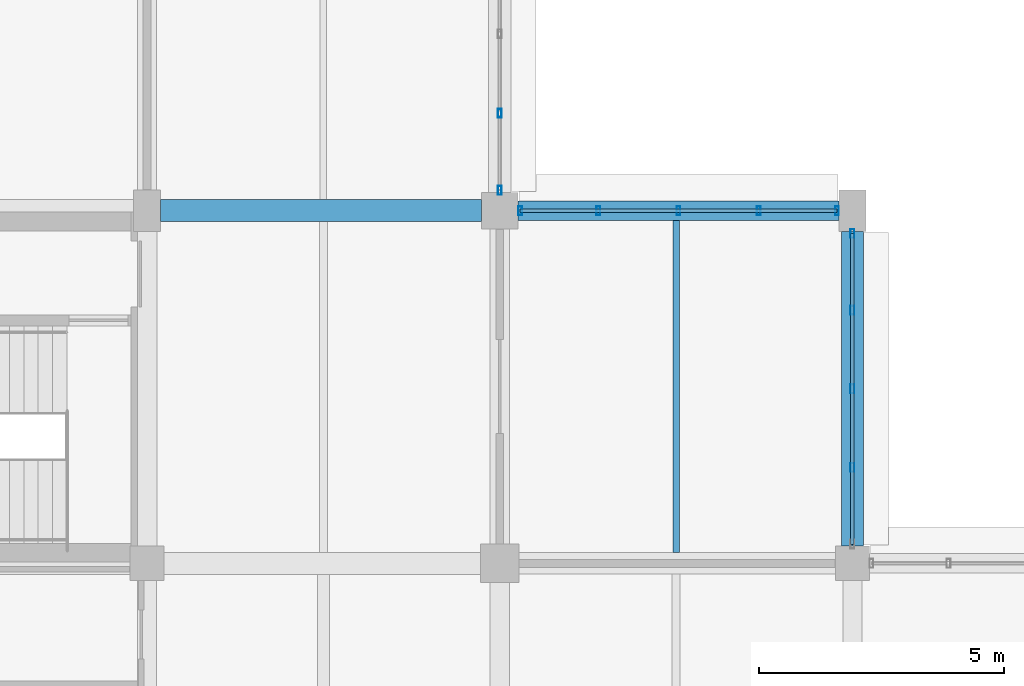
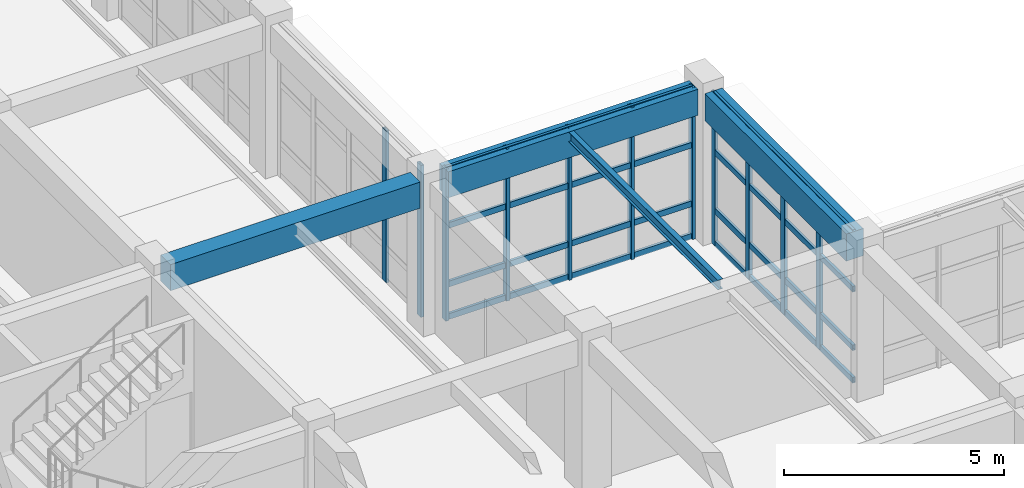
# One storey, part 13 of 171: 19 members, 4 beams, 3 elements without a shape of their own.
"""IFC4 building model written with IfcOpenShell, lengths in metres."""

from ifc_helpers import new_model, si_unit, direction, frame, origin, origin_2d, place, context, subcontext, project, spatial, rectangle, hollow_rectangle, i_section, extrude, material, material_profile, profile_set, type_object, element, aggregate, save


model = new_model("IFC4")

# Units and contexts
model_context = context("Model", 3, precision=1e-05, world=origin(), true_north=direction((0.0, 1.0)))
body_context = subcontext(model_context, "Body", "Model", "MODEL_VIEW")
ifc_project = project(units=[si_unit("LENGTHUNIT", "METRE"), si_unit("AREAUNIT", "SQUARE_METRE"), si_unit("VOLUMEUNIT", "CUBIC_METRE"), si_unit("PLANEANGLEUNIT", "RADIAN"), si_unit("MASSUNIT", "GRAM", prefix="KILO")], contexts=[model_context])

# Site, building, storey
site_placement = place(None, origin())
site = spatial("IfcSite", under=ifc_project, at=site_placement, CompositionType="ELEMENT")
building_placement = place(site_placement, origin())
building = spatial("IfcBuilding", under=site, at=building_placement, Name="Thalmaran Polytechnic", CompositionType="ELEMENT")
storey_placement = place(building_placement, frame((0.0, 0.0, 5.39990234375)))
storey = spatial("IfcBuildingStorey", under=building, at=storey_placement, Name="L01", CompositionType="ELEMENT", Elevation=5.39990234375)

# Beams
ifc_material_1 = material(Name="Concrete C40/50", Category="concrete")
ifc_material_profile_1 = material_profile(ifc_material_1, rectangle(XDim=0.449951171875, YDim=0.72509765625, at=origin_2d()), Name="RC 450x725")
ifc_profile_set_1 = profile_set([ifc_material_profile_1], Name="Concrete C40/50")
beam_type_1 = type_object("IfcBeamType", Name="BM-RC04", PredefinedType="BEAM", material=ifc_profile_set_1)
beam_1_placement = place(storey_placement, frame((14.675048828125, 28.800048828125, 3.84765625), z_axis=(1.0, 0.0, 0.0), x_axis=(0.0, 1.0, 0.0)))
element("IfcBeam", 1, at=beam_1_placement, inside=storey, type_object=beam_type_1, Name="Grid Beam B04 L01 X(2,4)", PredefinedType="BEAM", context=body_context, shape_type="SweptSolid", body=[
    extrude(rectangle(XDim=0.449951171875, YDim=0.72509765625, at=origin_2d()), origin(), (0.0, 0.0, 1.0), 6.550048828125),
])
ifc_material_2 = material(Name="Steel S355", Category="steel")
ifc_material_profile_2 = material_profile(ifc_material_2, i_section(OverallWidth=0.135009765625, OverallDepth=0.27001953125, WebThickness=0.006591796875, FlangeThickness=0.01025390625, at=origin_2d()), Name="IPE 270")
ifc_profile_set_2 = profile_set([ifc_material_profile_2], Name="Steel S355")
beam_type_2 = type_object("IfcBeamType", Name="BM-SJ03", PredefinedType="JOIST", material=ifc_profile_set_2)
beam_2_placement = place(storey_placement, frame((25.199951171875, 21.820068359375, 4.0751953125), z_axis=(0.0, 1.0, 0.0), x_axis=(-1.0, 0.0, 0.0)))
element("IfcBeam", 2, at=beam_2_placement, inside=storey, type_object=beam_type_2, Name="Secondary Floor Rib SJ03 L01 (3,3)", PredefinedType="JOIST", context=body_context, shape_type="SweptSolid", body=[
    extrude(i_section(OverallWidth=0.135009765625, OverallDepth=0.27001953125, WebThickness=0.006591796875, FlangeThickness=0.01025390625, at=origin_2d()), origin(), (0.0, 0.0, 1.0), 6.780029296875),
])
ifc_material_profile_3 = material_profile(ifc_material_1, rectangle(XDim=0.39990234375, YDim=0.719970703125, at=origin_2d()), Name="RC 400x720")
ifc_profile_set_3 = profile_set([ifc_material_profile_3], Name="Concrete C40/50")
beam_type_3 = type_object("IfcBeamType", Name="BM-SP01", PredefinedType="SPANDREL", material=ifc_profile_set_3)
beam_3_placement = place(storey_placement, frame((21.97509765625, 28.800048828125, 3.85009765625), z_axis=(1.0, 0.0, 0.0), x_axis=(0.0, 1.0, 0.0)))
element("IfcBeam", 3, at=beam_3_placement, inside=storey, type_object=beam_type_3, Name="Grid Beam SP01 L01 X(3,4)", PredefinedType="SPANDREL", context=body_context, shape_type="SweptSolid", body=[
    extrude(rectangle(XDim=0.39990234375, YDim=0.719970703125, at=origin_2d()), origin(), (0.0, 0.0, 1.0), 6.5498046875),
])
ifc_material_profile_4 = material_profile(ifc_material_1, rectangle(XDim=0.449951171875, YDim=0.7548828125, at=origin_2d()), Name="RC 450x755")
ifc_profile_set_4 = profile_set([ifc_material_profile_4], Name="Concrete C40/50")
beam_type_4 = type_object("IfcBeamType", Name="BM-SP02", PredefinedType="SPANDREL", material=ifc_profile_set_4)
beam_4_placement = place(storey_placement, frame((28.800048828125, 21.949951171875, 3.83251953125), z_axis=(0.0, 1.0, 0.0), x_axis=(-1.0, 0.0, 0.0)))
element("IfcBeam", 4, at=beam_4_placement, inside=storey, type_object=beam_type_4, Name="Grid Beam SP02 L01 Y(4,3)", PredefinedType="SPANDREL", context=body_context, shape_type="SweptSolid", body=[
    extrude(rectangle(XDim=0.449951171875, YDim=0.7548828125, at=origin_2d()), origin(), (0.0, 0.0, 1.0), 6.425048828125),
])

# Curtain wall, members
ifc_material_3 = material(Name="Aluminium 6063-T6", Category="aluminium")
curtain_wall_type = type_object("IfcCurtainWallType", Name="CW-UC02", PredefinedType="USERDEFINED", material=ifc_material_3)
curtain_wall_1_placement = place(storey_placement, origin())
curtain_wall_1 = element("IfcCurtainWall", 5, at=curtain_wall_1_placement, inside=storey, type_object=curtain_wall_type, Name="Curtain Wall CW-L01-160", ObjectType="UNITISED CURTAIN WALL", PredefinedType="USERDEFINED")
ifc_material_profile_5 = material_profile(ifc_material_3, hollow_rectangle(XDim=0.080078125, YDim=0.179931640625, WallThickness=0.0048828125, at=origin_2d()), Name="RHS 180x80x5.0")
ifc_profile_set_5 = profile_set([ifc_material_profile_5], Name="Aluminium 6063-T6")
member_type_1 = type_object("IfcMemberType", Name="CW-MUL1", PredefinedType="MULLION", material=ifc_profile_set_5)
member_1_placement = place(storey_placement, frame((21.60009765625, 30.791259765625, 0.0), z_axis=(0.0, 0.0, 1.0), x_axis=(1.0, 0.0, 0.0)))
member_1 = element("IfcMember", 6, at=member_1_placement, type_object=member_type_1, Name="CW-L01-160 Mullion 4", PredefinedType="MULLION", context=body_context, shape_type="SweptSolid", body=[
    extrude(hollow_rectangle(XDim=0.080078125, YDim=0.179931640625, WallThickness=0.0048828125, at=origin_2d()), origin(), (0.0, 0.0, 1.0), 4.210205078125),
])
member_2_placement = place(storey_placement, frame((21.60009765625, 29.215087890625, 0.0), z_axis=(0.0, 0.0, 1.0), x_axis=(1.0, 0.0, 0.0)))
member_2 = element("IfcMember", 7, at=member_2_placement, type_object=member_type_1, Name="CW-L01-160 Mullion 5", PredefinedType="MULLION", context=body_context, shape_type="SweptSolid", body=[
    extrude(hollow_rectangle(XDim=0.080078125, YDim=0.179931640625, WallThickness=0.0048828125, at=origin_2d()), origin(), (0.0, 0.0, 1.0), 4.210205078125),
])
aggregate(curtain_wall_1, [member_1, member_2])

curtain_wall_2_placement = place(storey_placement, origin())
curtain_wall_2 = element("IfcCurtainWall", 8, at=curtain_wall_2_placement, inside=storey, type_object=curtain_wall_type, Name="Curtain Wall CW-L01-161", ObjectType="UNITISED CURTAIN WALL", PredefinedType="USERDEFINED")
member_3_placement = place(storey_placement, frame((22.014892578125, 28.800048828125, 0.0), z_axis=(0.0, 0.0, 1.0), x_axis=(1.0, 0.0, 0.0)))
member_3 = element("IfcMember", 9, at=member_3_placement, type_object=member_type_1, Name="CW-L01-161 Mullion 1", PredefinedType="MULLION", context=body_context, shape_type="SweptSolid", body=[
    extrude(hollow_rectangle(XDim=0.080078125, YDim=0.179931640625, WallThickness=0.0048828125, at=origin_2d()), origin(), (0.0, 0.0, 1.0), 4.210205078125),
])
member_4_placement = place(storey_placement, frame((23.612548828125, 28.800048828125, 0.0), z_axis=(0.0, 0.0, 1.0), x_axis=(1.0, 0.0, 0.0)))
member_4 = element("IfcMember", 10, at=member_4_placement, type_object=member_type_1, Name="CW-L01-161 Mullion 2", PredefinedType="MULLION", context=body_context, shape_type="SweptSolid", body=[
    extrude(hollow_rectangle(XDim=0.080078125, YDim=0.179931640625, WallThickness=0.0048828125, at=origin_2d()), origin(), (0.0, 0.0, 1.0), 4.210205078125),
])
member_5_placement = place(storey_placement, frame((25.25, 28.800048828125, 0.0), z_axis=(0.0, 0.0, 1.0), x_axis=(1.0, 0.0, 0.0)))
member_5 = element("IfcMember", 11, at=member_5_placement, type_object=member_type_1, Name="CW-L01-161 Mullion 3", PredefinedType="MULLION", context=body_context, shape_type="SweptSolid", body=[
    extrude(hollow_rectangle(XDim=0.080078125, YDim=0.179931640625, WallThickness=0.0048828125, at=origin_2d()), origin(), (0.0, 0.0, 1.0), 4.210205078125),
])
member_6_placement = place(storey_placement, frame((26.887451171875, 28.800048828125, 0.0), z_axis=(0.0, 0.0, 1.0), x_axis=(1.0, 0.0, 0.0)))
member_6 = element("IfcMember", 12, at=member_6_placement, type_object=member_type_1, Name="CW-L01-161 Mullion 4", PredefinedType="MULLION", context=body_context, shape_type="SweptSolid", body=[
    extrude(hollow_rectangle(XDim=0.080078125, YDim=0.179931640625, WallThickness=0.0048828125, at=origin_2d()), origin(), (0.0, 0.0, 1.0), 4.210205078125),
])
member_7_placement = place(storey_placement, frame((28.485107421875, 28.800048828125, 0.0), z_axis=(0.0, 0.0, 1.0), x_axis=(1.0, 0.0, 0.0)))
member_7 = element("IfcMember", 13, at=member_7_placement, type_object=member_type_1, Name="CW-L01-161 Mullion 5", PredefinedType="MULLION", context=body_context, shape_type="SweptSolid", body=[
    extrude(hollow_rectangle(XDim=0.080078125, YDim=0.179931640625, WallThickness=0.0048828125, at=origin_2d()), origin(), (0.0, 0.0, 1.0), 4.210205078125),
])

curtain_wall_3_placement = place(storey_placement, origin())
curtain_wall_3 = element("IfcCurtainWall", 14, at=curtain_wall_3_placement, inside=storey, type_object=curtain_wall_type, Name="Curtain Wall CW-L01-162", ObjectType="UNITISED CURTAIN WALL", PredefinedType="USERDEFINED")
member_8_placement = place(storey_placement, frame((28.800048828125, 28.3349609375, 0.0), z_axis=(0.0, 0.0, 1.0), x_axis=(1.0, 0.0, 0.0)))
member_8 = element("IfcMember", 15, at=member_8_placement, type_object=member_type_1, Name="CW-L01-162 Mullion 1", PredefinedType="MULLION", context=body_context, shape_type="SweptSolid", body=[
    extrude(hollow_rectangle(XDim=0.080078125, YDim=0.179931640625, WallThickness=0.0048828125, at=origin_2d()), origin(), (0.0, 0.0, 1.0), 4.210205078125),
])
member_9_placement = place(storey_placement, frame((28.800048828125, 26.768798828125, 0.0), z_axis=(0.0, 0.0, 1.0), x_axis=(1.0, 0.0, 0.0)))
member_9 = element("IfcMember", 16, at=member_9_placement, type_object=member_type_1, Name="CW-L01-162 Mullion 2", PredefinedType="MULLION", context=body_context, shape_type="SweptSolid", body=[
    extrude(hollow_rectangle(XDim=0.080078125, YDim=0.179931640625, WallThickness=0.0048828125, at=origin_2d()), origin(), (0.0, 0.0, 1.0), 4.210205078125),
])
member_10_placement = place(storey_placement, frame((28.800048828125, 25.16259765625, 0.0), z_axis=(0.0, 0.0, 1.0), x_axis=(1.0, 0.0, 0.0)))
member_10 = element("IfcMember", 17, at=member_10_placement, type_object=member_type_1, Name="CW-L01-162 Mullion 3", PredefinedType="MULLION", context=body_context, shape_type="SweptSolid", body=[
    extrude(hollow_rectangle(XDim=0.080078125, YDim=0.179931640625, WallThickness=0.0048828125, at=origin_2d()), origin(), (0.0, 0.0, 1.0), 4.210205078125),
])
member_11_placement = place(storey_placement, frame((28.800048828125, 23.55615234375, 0.0), z_axis=(0.0, 0.0, 1.0), x_axis=(1.0, 0.0, 0.0)))
member_11 = element("IfcMember", 18, at=member_11_placement, type_object=member_type_1, Name="CW-L01-162 Mullion 4", PredefinedType="MULLION", context=body_context, shape_type="SweptSolid", body=[
    extrude(hollow_rectangle(XDim=0.080078125, YDim=0.179931640625, WallThickness=0.0048828125, at=origin_2d()), origin(), (0.0, 0.0, 1.0), 4.210205078125),
])

# Member
ifc_material_profile_6 = material_profile(ifc_material_3, hollow_rectangle(XDim=0.070068359375, YDim=0.159912109375, WallThickness=0.00390625, at=origin_2d()), Name="AL 160x70x4.0")
ifc_profile_set_6 = profile_set([ifc_material_profile_6], Name="Aluminium 6063-T6")
member_type_2 = type_object("IfcMemberType", Name="CW-TRN1", PredefinedType="USERDEFINED", material=ifc_profile_set_6)
member_12_placement = place(storey_placement, frame((22.014892578125, 28.800048828125, 0.06005859375), z_axis=(1.0, 0.0, 0.0), x_axis=(0.0, 1.0, 0.0)))
member_12 = element("IfcMember", 19, at=member_12_placement, type_object=member_type_2, Name="CW-L01-161 Transom 1", ObjectType="TRANSOM", PredefinedType="USERDEFINED", context=body_context, shape_type="SweptSolid", body=[
    extrude(hollow_rectangle(XDim=0.070068359375, YDim=0.159912109375, WallThickness=0.00390625, at=origin_2d()), origin(), (0.0, 0.0, 1.0), 6.47021484375),
])

member_13_placement = place(storey_placement, frame((22.014892578125, 28.800048828125, 0.960205078125), z_axis=(1.0, 0.0, 0.0), x_axis=(0.0, 1.0, 0.0)))
member_13 = element("IfcMember", 20, at=member_13_placement, type_object=member_type_2, Name="CW-L01-161 Transom 2", ObjectType="TRANSOM", PredefinedType="USERDEFINED", context=body_context, shape_type="SweptSolid", body=[
    extrude(hollow_rectangle(XDim=0.070068359375, YDim=0.159912109375, WallThickness=0.00390625, at=origin_2d()), origin(), (0.0, 0.0, 1.0), 6.47021484375),
])

member_14_placement = place(storey_placement, frame((22.014892578125, 28.800048828125, 2.585205078125), z_axis=(1.0, 0.0, 0.0), x_axis=(0.0, 1.0, 0.0)))
member_14 = element("IfcMember", 21, at=member_14_placement, type_object=member_type_2, Name="CW-L01-161 Transom 3", ObjectType="TRANSOM", PredefinedType="USERDEFINED", context=body_context, shape_type="SweptSolid", body=[
    extrude(hollow_rectangle(XDim=0.070068359375, YDim=0.159912109375, WallThickness=0.00390625, at=origin_2d()), origin(), (0.0, 0.0, 1.0), 6.47021484375),
])

member_15_placement = place(storey_placement, frame((22.014892578125, 28.800048828125, 4.150146484375), z_axis=(1.0, 0.0, 0.0), x_axis=(0.0, 1.0, 0.0)))
member_15 = element("IfcMember", 22, at=member_15_placement, type_object=member_type_2, Name="CW-L01-161 Transom 4", ObjectType="TRANSOM", PredefinedType="USERDEFINED", context=body_context, shape_type="SweptSolid", body=[
    extrude(hollow_rectangle(XDim=0.070068359375, YDim=0.159912109375, WallThickness=0.00390625, at=origin_2d()), origin(), (0.0, 0.0, 1.0), 6.47021484375),
])

aggregate(curtain_wall_2, [member_3, member_4, member_5, member_6, member_7, member_12, member_13, member_14, member_15])

member_16_placement = place(storey_placement, frame((28.800048828125, 28.3349609375, 0.06005859375), z_axis=(0.0, -1.0, 0.0), x_axis=(1.0, 0.0, 0.0)))
member_16 = element("IfcMember", 23, at=member_16_placement, type_object=member_type_2, Name="CW-L01-162 Transom 1", ObjectType="TRANSOM", PredefinedType="USERDEFINED", context=body_context, shape_type="SweptSolid", body=[
    extrude(hollow_rectangle(XDim=0.070068359375, YDim=0.159912109375, WallThickness=0.00390625, at=origin_2d()), origin(), (0.0, 0.0, 1.0), 6.344970703125),
])

member_17_placement = place(storey_placement, frame((28.800048828125, 28.3349609375, 0.960205078125), z_axis=(0.0, -1.0, 0.0), x_axis=(1.0, 0.0, 0.0)))
member_17 = element("IfcMember", 24, at=member_17_placement, type_object=member_type_2, Name="CW-L01-162 Transom 2", ObjectType="TRANSOM", PredefinedType="USERDEFINED", context=body_context, shape_type="SweptSolid", body=[
    extrude(hollow_rectangle(XDim=0.070068359375, YDim=0.159912109375, WallThickness=0.00390625, at=origin_2d()), origin(), (0.0, 0.0, 1.0), 6.344970703125),
])

member_18_placement = place(storey_placement, frame((28.800048828125, 28.3349609375, 2.585205078125), z_axis=(0.0, -1.0, 0.0), x_axis=(1.0, 0.0, 0.0)))
member_18 = element("IfcMember", 25, at=member_18_placement, type_object=member_type_2, Name="CW-L01-162 Transom 3", ObjectType="TRANSOM", PredefinedType="USERDEFINED", context=body_context, shape_type="SweptSolid", body=[
    extrude(hollow_rectangle(XDim=0.070068359375, YDim=0.159912109375, WallThickness=0.00390625, at=origin_2d()), origin(), (0.0, 0.0, 1.0), 6.344970703125),
])

member_19_placement = place(storey_placement, frame((28.800048828125, 28.3349609375, 4.150146484375), z_axis=(0.0, -1.0, 0.0), x_axis=(1.0, 0.0, 0.0)))
member_19 = element("IfcMember", 26, at=member_19_placement, type_object=member_type_2, Name="CW-L01-162 Transom 4", ObjectType="TRANSOM", PredefinedType="USERDEFINED", context=body_context, shape_type="SweptSolid", body=[
    extrude(hollow_rectangle(XDim=0.070068359375, YDim=0.159912109375, WallThickness=0.00390625, at=origin_2d()), origin(), (0.0, 0.0, 1.0), 6.344970703125),
])

aggregate(curtain_wall_3, [member_8, member_9, member_10, member_11, member_16, member_17, member_18, member_19])

save(model, "model.ifc")
